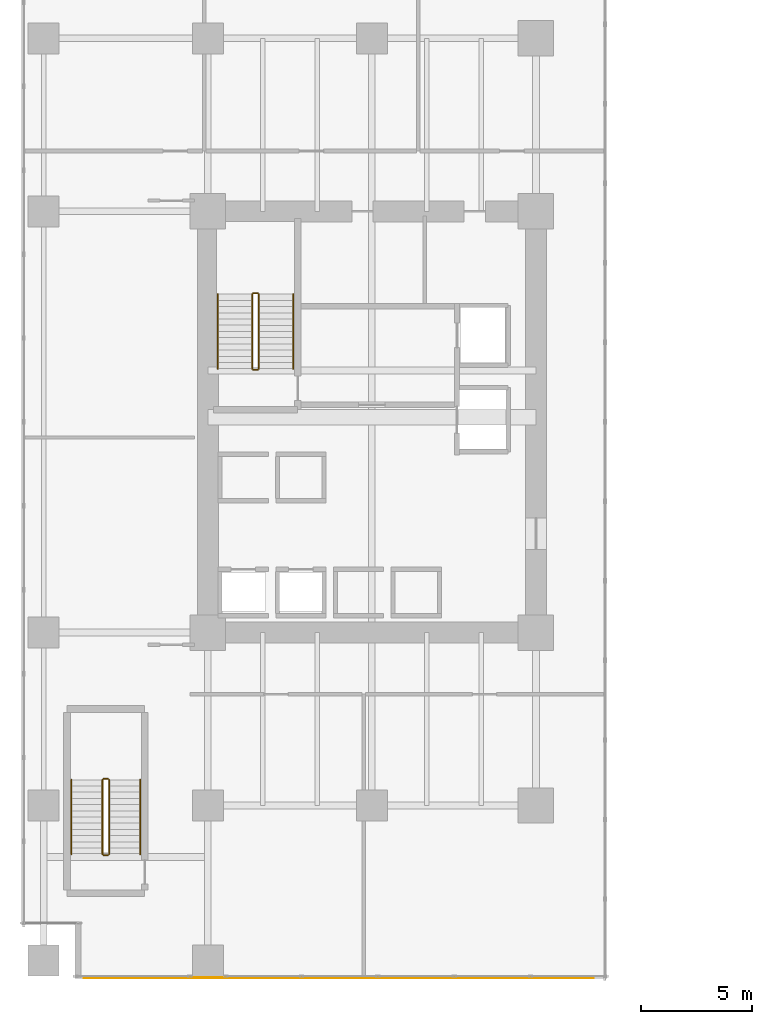
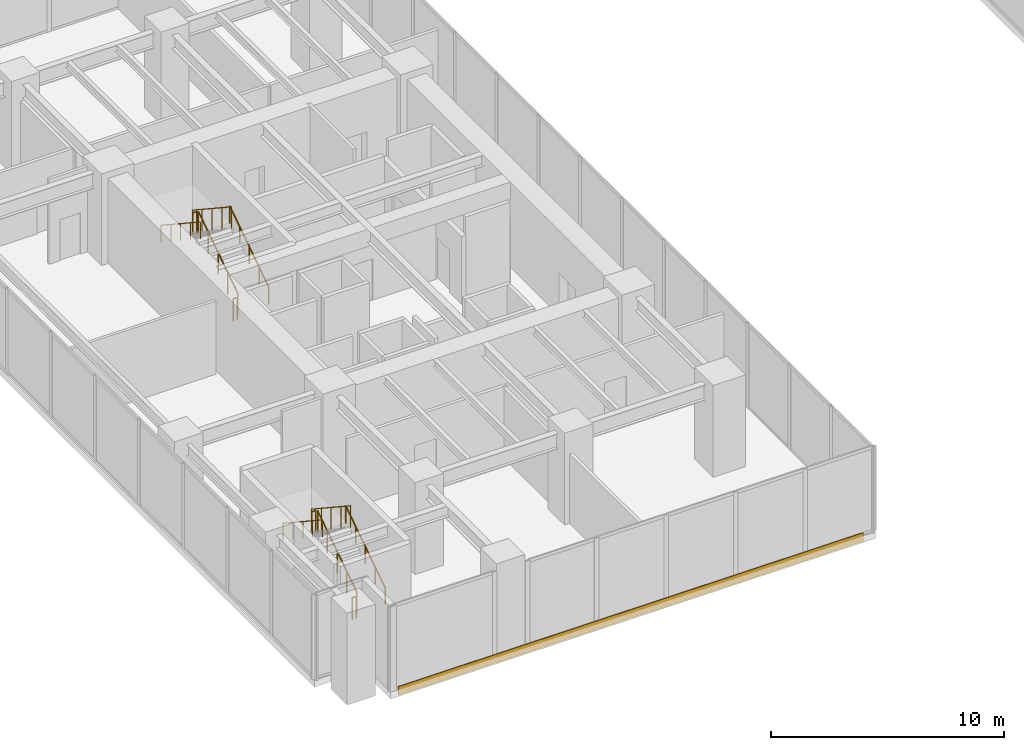
# One storey, part 29 of 32: 12 railings, 1 covering.
"""IFC4 building model written with IfcOpenShell, lengths in metres."""

from ifc_helpers import new_model, si_unit, direction, frame, frame_2d, origin, origin_2d, place, context, subcontext, project, spatial, rectangle, circle, extrude, source, transform, mapped, material, layer, layer_set, type_object, type_shapes, element, save


model = new_model("IFC4")

# Units and contexts
model_context = context("Model", 3, precision=1e-05, world=origin(), true_north=direction((0.0, 1.0)))
body_context = subcontext(model_context, "Body", "Model", "MODEL_VIEW")
ifc_project = project(units=[si_unit("LENGTHUNIT", "METRE"), si_unit("AREAUNIT", "SQUARE_METRE"), si_unit("VOLUMEUNIT", "CUBIC_METRE"), si_unit("PLANEANGLEUNIT", "RADIAN"), si_unit("MASSUNIT", "GRAM", prefix="KILO")], contexts=[model_context])

# Site, building, storey
site_placement = place(None, origin())
site = spatial("IfcSite", under=ifc_project, at=site_placement, CompositionType="ELEMENT")
building_placement = place(site_placement, origin())
building = spatial("IfcBuilding", under=site, at=building_placement, Name="Haelvirn Gate Laboratories", CompositionType="ELEMENT")
storey_placement = place(building_placement, frame((0.0, 0.0, 5.39990234375)))
storey = spatial("IfcBuildingStorey", under=building, at=storey_placement, Name="L02", CompositionType="ELEMENT", Elevation=5.39990234375)

# Covering
ifc_material_1 = material(Name="Anodised bronze honeycomb aluminium spandrel cladding", Category="aluminium")
ifc_layer = layer(ifc_material_1, 0.044921875, Name="COV-CLAD-BRZ")
ifc_layer_set = layer_set([ifc_layer], Name="Anodised bronze honeycomb aluminium spandrel cladding")
covering_type = type_object("IfcCoveringType", Name="COV-CLAD-BRZ", PredefinedType="CLADDING", material=ifc_layer_set)
covering_placement = place(storey_placement, frame((1.800048828125, -0.77001953125, -0.2998046875), z_axis=(0.0, 0.0, 1.0), x_axis=(1.0, 0.0, 0.0)))
element("IfcCovering", 1, at=covering_placement, inside=storey, type_object=covering_type, Name="L02 Bronze Slab-Edge Spandrel Cladding SW", PredefinedType="CLADDING", context=body_context, shape_type="SweptSolid", body=[
    extrude(rectangle(XDim=23.0, YDim=0.044921875, at=frame_2d((11.5, 0.0))), origin(), (0.0, 0.0, 1.0), 0.449951171875),
])

# Railings
ifc_material_2 = material(Name="Galvanised steel SM355 & stainless top rail", Category="steel")
railing_type_1 = type_object("IfcRailingType", Name="RL-GUARD-1150", PredefinedType="GUARDRAIL", material=ifc_material_2)
shared_shape_1 = source(origin(), body_context, "Body", "SweptSolid", [
    extrude(circle(Radius=0.02392578125, at=origin_2d()), frame((0.0, 0.0, 1.1259765625), z_axis=(0.0, 0.834876476806, 0.550437342915), x_axis=(-1.0, 0.0, 0.0)), (0.0, 0.0, 1.0), 4.024658203125),
    extrude(circle(Radius=0.02099609375, at=origin_2d()), origin(), (0.0, 0.0, 1.0), 1.101806640625),
    extrude(circle(Radius=0.02099609375, at=origin_2d()), frame((0.0, 0.840087890625, 0.5537109375)), (0.0, 0.0, 1.0), 1.101806640625),
    extrude(circle(Radius=0.02099609375, at=origin_2d()), frame((0.0, 1.68017578125, 1.107666015625)), (0.0, 0.0, 1.0), 1.101806640625),
    extrude(circle(Radius=0.02099609375, at=origin_2d()), frame((0.0, 2.52001953125, 1.66162109375)), (0.0, 0.0, 1.0), 1.101806640625),
    extrude(circle(Radius=0.02099609375, at=origin_2d()), frame((0.0, 3.360107421875, 2.21533203125)), (0.0, 0.0, 1.0), 1.101806640625),
])
railing_1_placement = place(storey_placement, frame((9.699951171875, 26.699951171875, 0.184814453125)))
element("IfcRailing", 2, at=railing_1_placement, inside=storey, type_object=railing_type_1, Name="L02 ST1 stair guard 1", PredefinedType="GUARDRAIL", context=body_context, shape_type="MappedRepresentation", body=[
    mapped(shared_shape_1, transform((0.0, 0.0, 0.0), scale=1.0)),
])
shared_shape_2 = source(origin(), body_context, "Body", "SweptSolid", [
    extrude(circle(Radius=0.02392578125, at=origin_2d()), frame((0.0, 0.0, 1.1259765625), z_axis=(-1.0, 0.0, 0.0), x_axis=(0.0, -1.0, 0.0)), (0.0, 0.0, 1.0), 0.199951171875),
    extrude(circle(Radius=0.02099609375, at=origin_2d()), origin(), (0.0, 0.0, 1.0), 1.101806640625),
    extrude(circle(Radius=0.02099609375, at=origin_2d()), frame((-0.199951171875, 0.0, 0.0)), (0.0, 0.0, 1.0), 1.101806640625),
])
for number, where, name in (
    (3, (9.64990234375, 30.110107421875, 2.400146484375), "L02 ST1 stair guard 2"),
    (4, (9.64990234375, 26.64990234375, 0.0), "L02 ST1 stair guard 4"),
    (5, (2.89990234375, 8.2099609375, 2.400146484375), "L02 ST3 stair guard 2"),
    (6, (2.89990234375, 4.75, 0.0), "L02 ST3 stair guard 4"),
):
    element("IfcRailing", number, at=place(storey_placement, frame(where)), inside=storey, type_object=railing_type_1, Name=name, PredefinedType="GUARDRAIL", context=body_context, shape_type="MappedRepresentation", body=[
        mapped(shared_shape_2, transform((0.0, 0.0, 0.0), scale=1.0)),
    ])
shared_shape_3 = source(origin(), body_context, "Body", "SweptSolid", [
    extrude(circle(Radius=0.02392578125, at=origin_2d()), frame((0.0, 0.0, 1.1259765625), z_axis=(0.0, -0.834876476806, 0.550437342915), x_axis=(1.0, 0.0, 0.0)), (0.0, 0.0, 1.0), 4.024658203125),
    extrude(circle(Radius=0.02099609375, at=origin_2d()), origin(), (0.0, 0.0, 1.0), 1.101806640625),
    extrude(circle(Radius=0.02099609375, at=origin_2d()), frame((0.0, -0.840087890625, 0.5537109375)), (0.0, 0.0, 1.0), 1.101806640625),
    extrude(circle(Radius=0.02099609375, at=origin_2d()), frame((0.0, -1.68017578125, 1.107666015625)), (0.0, 0.0, 1.0), 1.101806640625),
    extrude(circle(Radius=0.02099609375, at=origin_2d()), frame((0.0, -2.52001953125, 1.66162109375)), (0.0, 0.0, 1.0), 1.101806640625),
    extrude(circle(Radius=0.02099609375, at=origin_2d()), frame((0.0, -3.360107421875, 2.21533203125)), (0.0, 0.0, 1.0), 1.101806640625),
])
railing_2_placement = place(storey_placement, frame((9.39990234375, 30.06005859375, 2.584716796875)))
element("IfcRailing", 7, at=railing_2_placement, inside=storey, type_object=railing_type_1, Name="L02 ST1 stair guard 3", PredefinedType="GUARDRAIL", context=body_context, shape_type="MappedRepresentation", body=[
    mapped(shared_shape_3, transform((0.0, 0.0, 0.0), scale=1.0)),
])
ifc_material_3 = material(Name="Brushed stainless steel 316L", Category="steel")
railing_type_2 = type_object("IfcRailingType", Name="RL-HAND-920", PredefinedType="HANDRAIL", material=ifc_material_3)
shared_shape_4 = source(origin(), body_context, "Body", "SweptSolid", [
    extrude(circle(Radius=0.02392578125, at=origin_2d()), frame((0.0, 0.0, 0.8759765625), z_axis=(0.0, 0.834876476806, 0.550437342915), x_axis=(-1.0, 0.0, 0.0)), (0.0, 0.0, 1.0), 4.024658203125),
    extrude(circle(Radius=0.02099609375, at=origin_2d()), origin(), (0.0, 0.0, 1.0), 0.851806640625),
    extrude(circle(Radius=0.02099609375, at=origin_2d()), frame((0.0, 0.840087890625, 0.5537109375)), (0.0, 0.0, 1.0), 0.851806640625),
    extrude(circle(Radius=0.02099609375, at=origin_2d()), frame((0.0, 1.68017578125, 1.107666015625)), (0.0, 0.0, 1.0), 0.851806640625),
    extrude(circle(Radius=0.02099609375, at=origin_2d()), frame((0.0, 2.52001953125, 1.66162109375)), (0.0, 0.0, 1.0), 0.851806640625),
    extrude(circle(Radius=0.02099609375, at=origin_2d()), frame((0.0, 3.360107421875, 2.21533203125)), (0.0, 0.0, 1.0), 0.851806640625),
])
railing_3_placement = place(storey_placement, frame((11.25, 26.699951171875, 0.184814453125)))
element("IfcRailing", 8, at=railing_3_placement, inside=storey, type_object=railing_type_2, Name="L02 ST1 stair handrail 1", PredefinedType="HANDRAIL", context=body_context, shape_type="MappedRepresentation", body=[
    mapped(shared_shape_4, transform((0.0, 0.0, 0.0), scale=1.0)),
])
shared_shape_5 = source(origin(), body_context, "Body", "SweptSolid", [
    extrude(circle(Radius=0.02392578125, at=origin_2d()), frame((0.0, 0.0, 0.8759765625), z_axis=(0.0, -0.834876476806, 0.550437342915), x_axis=(1.0, 0.0, 0.0)), (0.0, 0.0, 1.0), 4.024658203125),
    extrude(circle(Radius=0.02099609375, at=origin_2d()), origin(), (0.0, 0.0, 1.0), 0.851806640625),
    extrude(circle(Radius=0.02099609375, at=origin_2d()), frame((0.0, -0.840087890625, 0.5537109375)), (0.0, 0.0, 1.0), 0.851806640625),
    extrude(circle(Radius=0.02099609375, at=origin_2d()), frame((0.0, -1.68017578125, 1.107666015625)), (0.0, 0.0, 1.0), 0.851806640625),
    extrude(circle(Radius=0.02099609375, at=origin_2d()), frame((0.0, -2.52001953125, 1.66162109375)), (0.0, 0.0, 1.0), 0.851806640625),
    extrude(circle(Radius=0.02099609375, at=origin_2d()), frame((0.0, -3.360107421875, 2.21533203125)), (0.0, 0.0, 1.0), 0.851806640625),
])
railing_4_placement = place(storey_placement, frame((7.85009765625, 30.06005859375, 2.584716796875)))
element("IfcRailing", 9, at=railing_4_placement, inside=storey, type_object=railing_type_2, Name="L02 ST1 stair handrail 2", PredefinedType="HANDRAIL", context=body_context, shape_type="MappedRepresentation", body=[
    mapped(shared_shape_5, transform((0.0, 0.0, 0.0), scale=1.0)),
])
shared_shape_6 = source(origin(), body_context, "Body", "SweptSolid", [
    extrude(circle(Radius=0.02392578125, at=origin_2d()), frame((0.0, 0.0, 1.1259765625), z_axis=(0.0, 0.834858096282, 0.550465220583), x_axis=(-1.0, 0.0, 0.0)), (0.0, 0.0, 1.0), 4.0244140625),
    extrude(circle(Radius=0.02099609375, at=origin_2d()), origin(), (0.0, 0.0, 1.0), 1.101806640625),
    extrude(circle(Radius=0.02099609375, at=origin_2d()), frame((0.0, 0.83984375, 0.5537109375)), (0.0, 0.0, 1.0), 1.101806640625),
    extrude(circle(Radius=0.02099609375, at=origin_2d()), frame((0.0, 1.679931640625, 1.107666015625)), (0.0, 0.0, 1.0), 1.101806640625),
    extrude(circle(Radius=0.02099609375, at=origin_2d()), frame((0.0, 2.52001953125, 1.66162109375)), (0.0, 0.0, 1.0), 1.101806640625),
    extrude(circle(Radius=0.02099609375, at=origin_2d()), frame((0.0, 3.35986328125, 2.21533203125)), (0.0, 0.0, 1.0), 1.101806640625),
])
railing_5_placement = place(storey_placement, frame((2.949951171875, 4.800048828125, 0.184814453125)))
element("IfcRailing", 10, at=railing_5_placement, inside=storey, type_object=railing_type_1, Name="L02 ST3 stair guard 1", PredefinedType="GUARDRAIL", context=body_context, shape_type="MappedRepresentation", body=[
    mapped(shared_shape_6, transform((0.0, 0.0, 0.0), scale=1.0)),
])
shared_shape_7 = source(origin(), body_context, "Body", "SweptSolid", [
    extrude(circle(Radius=0.02392578125, at=origin_2d()), frame((0.0, 0.0, 1.1259765625), z_axis=(0.0, -0.834858096282, 0.550465220583), x_axis=(1.0, 0.0, 0.0)), (0.0, 0.0, 1.0), 4.0244140625),
    extrude(circle(Radius=0.02099609375, at=origin_2d()), origin(), (0.0, 0.0, 1.0), 1.101806640625),
    extrude(circle(Radius=0.02099609375, at=origin_2d()), frame((0.0, -0.83984375, 0.5537109375)), (0.0, 0.0, 1.0), 1.101806640625),
    extrude(circle(Radius=0.02099609375, at=origin_2d()), frame((0.0, -1.679931640625, 1.107666015625)), (0.0, 0.0, 1.0), 1.101806640625),
    extrude(circle(Radius=0.02099609375, at=origin_2d()), frame((0.0, -2.52001953125, 1.66162109375)), (0.0, 0.0, 1.0), 1.101806640625),
    extrude(circle(Radius=0.02099609375, at=origin_2d()), frame((0.0, -3.35986328125, 2.21533203125)), (0.0, 0.0, 1.0), 1.101806640625),
])
type_shapes(railing_type_1, [shared_shape_1, shared_shape_2, shared_shape_3, shared_shape_6, shared_shape_7])
railing_6_placement = place(storey_placement, frame((2.64990234375, 8.159912109375, 2.584716796875)))
element("IfcRailing", 11, at=railing_6_placement, inside=storey, type_object=railing_type_1, Name="L02 ST3 stair guard 3", PredefinedType="GUARDRAIL", context=body_context, shape_type="MappedRepresentation", body=[
    mapped(shared_shape_7, transform((0.0, 0.0, 0.0), scale=1.0)),
])
shared_shape_8 = source(origin(), body_context, "Body", "SweptSolid", [
    extrude(circle(Radius=0.02392578125, at=origin_2d()), frame((0.0, 0.0, 0.8759765625), z_axis=(0.0, 0.834858096282, 0.550465220583), x_axis=(-1.0, 0.0, 0.0)), (0.0, 0.0, 1.0), 4.0244140625),
    extrude(circle(Radius=0.02099609375, at=origin_2d()), origin(), (0.0, 0.0, 1.0), 0.851806640625),
    extrude(circle(Radius=0.02099609375, at=origin_2d()), frame((0.0, 0.83984375, 0.5537109375)), (0.0, 0.0, 1.0), 0.851806640625),
    extrude(circle(Radius=0.02099609375, at=origin_2d()), frame((0.0, 1.679931640625, 1.107666015625)), (0.0, 0.0, 1.0), 0.851806640625),
    extrude(circle(Radius=0.02099609375, at=origin_2d()), frame((0.0, 2.52001953125, 1.66162109375)), (0.0, 0.0, 1.0), 0.851806640625),
    extrude(circle(Radius=0.02099609375, at=origin_2d()), frame((0.0, 3.35986328125, 2.21533203125)), (0.0, 0.0, 1.0), 0.851806640625),
])
railing_7_placement = place(storey_placement, frame((4.35009765625, 4.800048828125, 0.184814453125)))
element("IfcRailing", 12, at=railing_7_placement, inside=storey, type_object=railing_type_2, Name="L02 ST3 stair handrail 1", PredefinedType="HANDRAIL", context=body_context, shape_type="MappedRepresentation", body=[
    mapped(shared_shape_8, transform((0.0, 0.0, 0.0), scale=1.0)),
])
shared_shape_9 = source(origin(), body_context, "Body", "SweptSolid", [
    extrude(circle(Radius=0.02392578125, at=origin_2d()), frame((0.0, 0.0, 0.8759765625), z_axis=(0.0, -0.834858096282, 0.550465220583), x_axis=(1.0, 0.0, 0.0)), (0.0, 0.0, 1.0), 4.0244140625),
    extrude(circle(Radius=0.02099609375, at=origin_2d()), origin(), (0.0, 0.0, 1.0), 0.851806640625),
    extrude(circle(Radius=0.02099609375, at=origin_2d()), frame((0.0, -0.83984375, 0.5537109375)), (0.0, 0.0, 1.0), 0.851806640625),
    extrude(circle(Radius=0.02099609375, at=origin_2d()), frame((0.0, -1.679931640625, 1.107666015625)), (0.0, 0.0, 1.0), 0.851806640625),
    extrude(circle(Radius=0.02099609375, at=origin_2d()), frame((0.0, -2.52001953125, 1.66162109375)), (0.0, 0.0, 1.0), 0.851806640625),
    extrude(circle(Radius=0.02099609375, at=origin_2d()), frame((0.0, -3.35986328125, 2.21533203125)), (0.0, 0.0, 1.0), 0.851806640625),
])
type_shapes(railing_type_2, [shared_shape_4, shared_shape_5, shared_shape_8, shared_shape_9])
railing_8_placement = place(storey_placement, frame((1.25, 8.159912109375, 2.584716796875)))
element("IfcRailing", 13, at=railing_8_placement, inside=storey, type_object=railing_type_2, Name="L02 ST3 stair handrail 2", PredefinedType="HANDRAIL", context=body_context, shape_type="MappedRepresentation", body=[
    mapped(shared_shape_9, transform((0.0, 0.0, 0.0), scale=1.0)),
])

save(model, "model.ifc")
